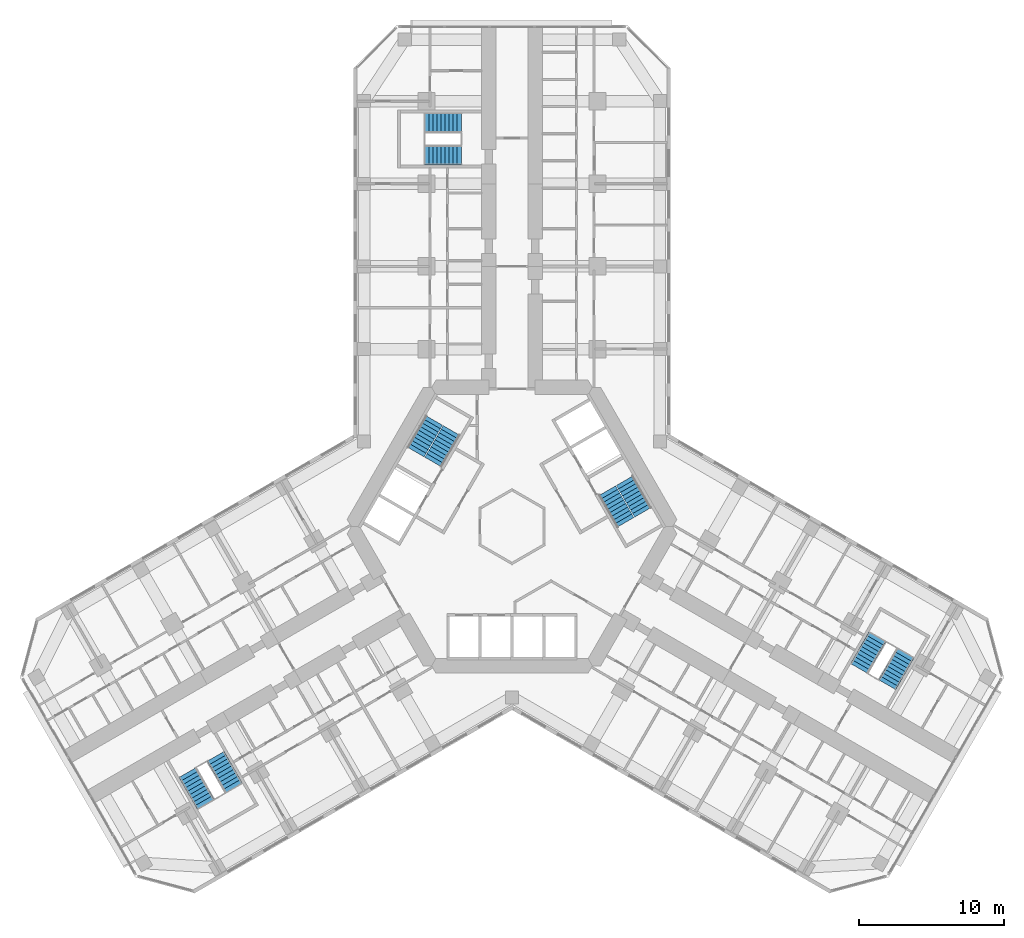
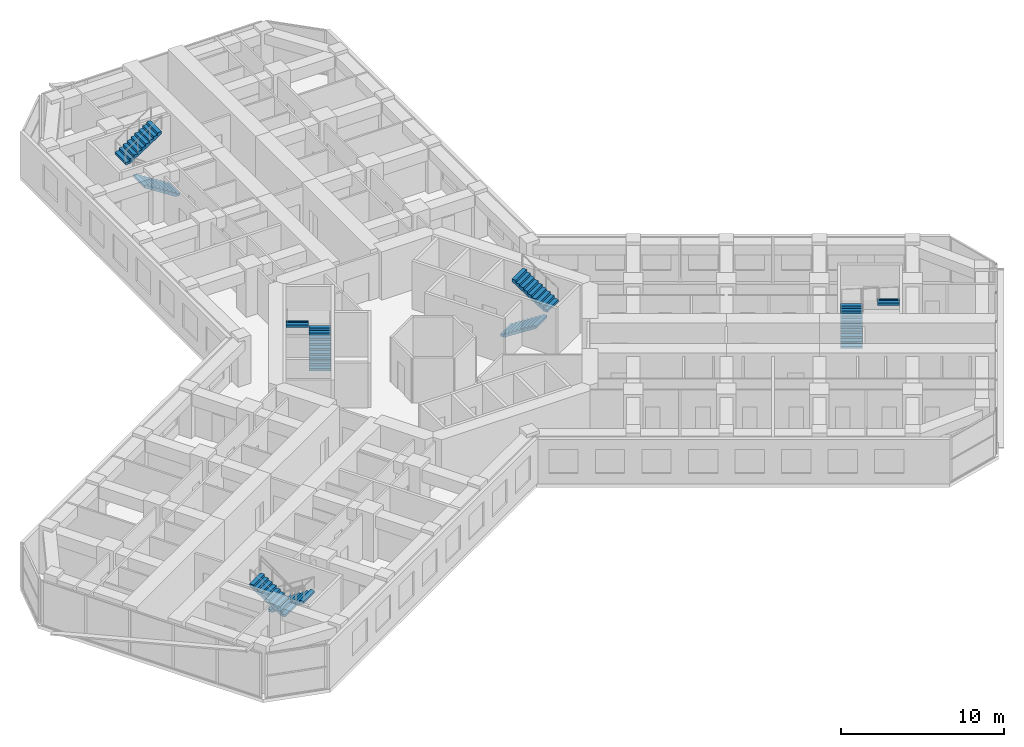
# One storey, part 20 of 21: 10 stair flights, 5 elements without a shape of their own.
"""IFC4 building model written with IfcOpenShell, lengths in metres."""

from ifc_helpers import new_model, si_unit, direction, frame, origin, place, context, subcontext, project, spatial, polyline, outline, extrude, material, type_object, element, aggregate, save


model = new_model("IFC4")

# Units and contexts
model_context = context("Model", 3, precision=1e-05, world=origin(), true_north=direction((0.0, 1.0)))
body_context = subcontext(model_context, "Body", "Model", "MODEL_VIEW")
ifc_project = project(units=[si_unit("LENGTHUNIT", "METRE"), si_unit("AREAUNIT", "SQUARE_METRE"), si_unit("VOLUMEUNIT", "CUBIC_METRE"), si_unit("PLANEANGLEUNIT", "RADIAN"), si_unit("MASSUNIT", "GRAM", prefix="KILO")], contexts=[model_context])

# Site, building, storey
site_placement = place(None, origin())
site = spatial("IfcSite", under=ifc_project, at=site_placement, CompositionType="ELEMENT")
building_placement = place(site_placement, origin())
building = spatial("IfcBuilding", under=site, at=building_placement, Name="Kosmar Iwan School Tower", CompositionType="ELEMENT")
storey_placement = place(building_placement, frame((0.0, 0.0, 98.800048828125)))
storey = spatial("IfcBuildingStorey", under=building, at=storey_placement, Name="L24", CompositionType="ELEMENT", Elevation=98.800048828125)

# Stair, stair flights
ifc_material_1 = material(Name="Concrete C35/45", Category="concrete")
stair_type_1 = type_object("IfcStairType", Name="Escape stair 3600", PredefinedType="HALF_TURN_STAIR", material=ifc_material_1)
stair_1_placement = place(storey_placement, origin())
stair_1 = element("IfcStair", 1, at=stair_1_placement, inside=storey, type_object=stair_type_1, Name="Stair WS1 L24", PredefinedType="HALF_TURN_STAIR")
ifc_material_2 = material(Name="Concrete C35/45", Category="concrete")
stair_flight_type_1 = type_object("IfcStairFlightType", Name="Escape stair flight 1350", PredefinedType="STRAIGHT", material=ifc_material_2)
stair_flight_1_placement = place(storey_placement, frame((-3.5, 25.625, 0.0), z_axis=(0.0, 0.0, 1.0), x_axis=(-1.0, 0.0, 0.0)))
stair_flight_1 = element("IfcStairFlight", 2, at=stair_flight_1_placement, type_object=stair_flight_type_1, Name="WS1 flight 1", NumberOfRisers=10, NumberOfTreads=9, PredefinedType="STRAIGHT", RiserHeight=0.18, TreadLength=0.28, context=body_context, shape_type="SweptSolid", body=[
    extrude(outline(polyline([(0.0, 0.0), (0.0, 0.179931640625), (0.280029296875, 0.179931640625), (0.280029296875, 0.360107421875), (0.56005859375, 0.360107421875), (0.56005859375, 0.5400390625), (0.840087890625, 0.5400390625), (0.840087890625, 0.719970703125), (1.1201171875, 0.719970703125), (1.1201171875, 0.89990234375), (1.39990234375, 0.89990234375), (1.39990234375, 1.080078125), (1.679931640625, 1.080078125), (1.679931640625, 1.260009765625), (1.9599609375, 1.260009765625), (1.9599609375, 1.43994140625), (2.239990234375, 1.43994140625), (2.239990234375, 1.6201171875), (2.52001953125, 1.6201171875), (2.52001953125, 1.800048828125), (2.52001953125, 1.44189453125), (0.277099609375, 0.0), (0.0, 0.0)])), frame((0.0, 0.675048828125, 0.0), z_axis=(0.0, -1.0, 0.0), x_axis=(1.0, 0.0, 0.0)), (0.0, 0.0, 1.0), 1.35009765625),
])
stair_flight_2_placement = place(storey_placement, frame((-6.02001953125, 27.875, 1.800048828125), z_axis=(0.0, 0.0, 1.0), x_axis=(1.0, 0.0, 0.0)))
stair_flight_2 = element("IfcStairFlight", 3, at=stair_flight_2_placement, type_object=stair_flight_type_1, Name="WS1 flight 2", NumberOfRisers=10, NumberOfTreads=9, PredefinedType="STRAIGHT", RiserHeight=0.18, TreadLength=0.28, context=body_context, shape_type="SweptSolid", body=[
    extrude(outline(polyline([(0.0, 0.0), (0.0, 0.179931640625), (0.280029296875, 0.179931640625), (0.280029296875, 0.360107421875), (0.56005859375, 0.360107421875), (0.56005859375, 0.5400390625), (0.840087890625, 0.5400390625), (0.840087890625, 0.719970703125), (1.1201171875, 0.719970703125), (1.1201171875, 0.89990234375), (1.39990234375, 0.89990234375), (1.39990234375, 1.080078125), (1.679931640625, 1.080078125), (1.679931640625, 1.260009765625), (1.9599609375, 1.260009765625), (1.9599609375, 1.43994140625), (2.239990234375, 1.43994140625), (2.239990234375, 1.6201171875), (2.52001953125, 1.6201171875), (2.52001953125, 1.800048828125), (2.52001953125, 1.44189453125), (0.277099609375, 0.0), (0.0, 0.0)])), frame((0.0, 0.675048828125, 0.0), z_axis=(0.0, -1.0, 0.0), x_axis=(1.0, 0.0, 0.0)), (0.0, 0.0, 1.0), 1.35009765625),
])
aggregate(stair_1, [stair_flight_1, stair_flight_2])

stair_2_placement = place(storey_placement, origin())
stair_2 = element("IfcStair", 4, at=stair_2_placement, inside=storey, type_object=stair_type_1, Name="Stair WS2 L24", PredefinedType="HALF_TURN_STAIR")
stair_flight_3_placement = place(storey_placement, frame((-20.44189453125, -15.843505859375, 0.0), z_axis=(0.0, 0.0, 1.0), x_axis=(0.5, -0.866025403784, 0.0)))
stair_flight_3 = element("IfcStairFlight", 5, at=stair_flight_3_placement, type_object=stair_flight_type_1, Name="WS2 flight 1", NumberOfRisers=10, NumberOfTreads=9, PredefinedType="STRAIGHT", RiserHeight=0.18, TreadLength=0.28, context=body_context, shape_type="SweptSolid", body=[
    extrude(outline(polyline([(0.0, 0.0), (0.0, 0.179931640625), (0.280029296875, 0.179931640625), (0.280029296875, 0.360107421875), (0.56005859375, 0.360107421875), (0.56005859375, 0.5400390625), (0.840087890625, 0.5400390625), (0.840087890625, 0.719970703125), (1.1201171875, 0.719970703125), (1.1201171875, 0.89990234375), (1.39990234375, 0.89990234375), (1.39990234375, 1.080078125), (1.679931640625, 1.080078125), (1.679931640625, 1.260009765625), (1.9599609375, 1.260009765625), (1.9599609375, 1.43994140625), (2.239990234375, 1.43994140625), (2.239990234375, 1.6201171875), (2.52001953125, 1.6201171875), (2.52001953125, 1.800048828125), (2.52001953125, 1.44189453125), (0.277099609375, 0.0), (0.0, 0.0)])), frame((0.0, 0.675048828125, 0.0), z_axis=(0.0, -1.0, 0.0), x_axis=(1.0, 0.0, 0.0)), (0.0, 0.0, 1.0), 1.35009765625),
])
stair_flight_4_placement = place(storey_placement, frame((-21.13037109375, -19.15087890625, 1.800048828125), z_axis=(0.0, 0.0, 1.0), x_axis=(-0.5, 0.866025403784, 0.0)))
stair_flight_4 = element("IfcStairFlight", 6, at=stair_flight_4_placement, type_object=stair_flight_type_1, Name="WS2 flight 2", NumberOfRisers=10, NumberOfTreads=9, PredefinedType="STRAIGHT", RiserHeight=0.18, TreadLength=0.28, context=body_context, shape_type="SweptSolid", body=[
    extrude(outline(polyline([(0.0, 0.0), (0.0, 0.179931640625), (0.280029296875, 0.179931640625), (0.280029296875, 0.360107421875), (0.56005859375, 0.360107421875), (0.56005859375, 0.5400390625), (0.840087890625, 0.5400390625), (0.840087890625, 0.719970703125), (1.1201171875, 0.719970703125), (1.1201171875, 0.89990234375), (1.39990234375, 0.89990234375), (1.39990234375, 1.080078125), (1.679931640625, 1.080078125), (1.679931640625, 1.260009765625), (1.9599609375, 1.260009765625), (1.9599609375, 1.43994140625), (2.239990234375, 1.43994140625), (2.239990234375, 1.6201171875), (2.52001953125, 1.6201171875), (2.52001953125, 1.800048828125), (2.52001953125, 1.44189453125), (0.277099609375, 0.0), (0.0, 0.0)])), frame((0.0, 0.675048828125, 0.0), z_axis=(0.0, -1.0, 0.0), x_axis=(1.0, 0.0, 0.0)), (0.0, 0.0, 1.0), 1.35009765625),
])
aggregate(stair_2, [stair_flight_3, stair_flight_4])

stair_3_placement = place(storey_placement, origin())
stair_3 = element("IfcStair", 7, at=stair_3_placement, inside=storey, type_object=stair_type_1, Name="Stair WS3 L24", PredefinedType="HALF_TURN_STAIR")
stair_flight_5_placement = place(storey_placement, frame((23.94189453125, -9.781494140625, 0.0), z_axis=(0.0, 0.0, 1.0), x_axis=(0.5, 0.866025403784, 0.0)))
stair_flight_5 = element("IfcStairFlight", 8, at=stair_flight_5_placement, type_object=stair_flight_type_1, Name="WS3 flight 1", NumberOfRisers=10, NumberOfTreads=9, PredefinedType="STRAIGHT", RiserHeight=0.18, TreadLength=0.28, context=body_context, shape_type="SweptSolid", body=[
    extrude(outline(polyline([(0.0, 0.0), (0.0, 0.179931640625), (0.280029296875, 0.179931640625), (0.280029296875, 0.360107421875), (0.56005859375, 0.360107421875), (0.56005859375, 0.5400390625), (0.840087890625, 0.5400390625), (0.840087890625, 0.719970703125), (1.1201171875, 0.719970703125), (1.1201171875, 0.89990234375), (1.39990234375, 0.89990234375), (1.39990234375, 1.080078125), (1.679931640625, 1.080078125), (1.679931640625, 1.260009765625), (1.9599609375, 1.260009765625), (1.9599609375, 1.43994140625), (2.239990234375, 1.43994140625), (2.239990234375, 1.6201171875), (2.52001953125, 1.6201171875), (2.52001953125, 1.800048828125), (2.52001953125, 1.44189453125), (0.277099609375, 0.0), (0.0, 0.0)])), frame((0.0, 0.675048828125, 0.0), z_axis=(0.0, -1.0, 0.0), x_axis=(1.0, 0.0, 0.0)), (0.0, 0.0, 1.0), 1.35009765625),
])
stair_flight_6_placement = place(storey_placement, frame((27.150390625, -8.72412109375, 1.800048828125), z_axis=(0.0, 0.0, 1.0), x_axis=(-0.5, -0.866025403784, 0.0)))
stair_flight_6 = element("IfcStairFlight", 9, at=stair_flight_6_placement, type_object=stair_flight_type_1, Name="WS3 flight 2", NumberOfRisers=10, NumberOfTreads=9, PredefinedType="STRAIGHT", RiserHeight=0.18, TreadLength=0.28, context=body_context, shape_type="SweptSolid", body=[
    extrude(outline(polyline([(0.0, 0.0), (0.0, 0.179931640625), (0.280029296875, 0.179931640625), (0.280029296875, 0.360107421875), (0.56005859375, 0.360107421875), (0.56005859375, 0.5400390625), (0.840087890625, 0.5400390625), (0.840087890625, 0.719970703125), (1.1201171875, 0.719970703125), (1.1201171875, 0.89990234375), (1.39990234375, 0.89990234375), (1.39990234375, 1.080078125), (1.679931640625, 1.080078125), (1.679931640625, 1.260009765625), (1.9599609375, 1.260009765625), (1.9599609375, 1.43994140625), (2.239990234375, 1.43994140625), (2.239990234375, 1.6201171875), (2.52001953125, 1.6201171875), (2.52001953125, 1.800048828125), (2.52001953125, 1.44189453125), (0.277099609375, 0.0), (0.0, 0.0)])), frame((0.0, 0.675048828125, 0.0), z_axis=(0.0, -1.0, 0.0), x_axis=(1.0, 0.0, 0.0)), (0.0, 0.0, 1.0), 1.35009765625),
])
aggregate(stair_3, [stair_flight_5, stair_flight_6])

ifc_material_3 = material(Name="Concrete C35/45", Category="concrete")
stair_type_2 = type_object("IfcStairType", Name="Core stair 2750", PredefinedType="HALF_TURN_STAIR", material=ifc_material_3)
stair_4_placement = place(storey_placement, origin())
stair_4 = element("IfcStair", 10, at=stair_4_placement, inside=storey, type_object=stair_type_2, Name="Stair ST2 L24", PredefinedType="HALF_TURN_STAIR")
ifc_material_4 = material(Name="Concrete C35/45", Category="concrete")
stair_flight_type_2 = type_object("IfcStairFlightType", Name="Stair flight 1350", PredefinedType="STRAIGHT", material=ifc_material_4)
stair_flight_7_placement = place(storey_placement, frame((-5.42724609375, 4.44970703125, 0.0), z_axis=(0.0, 0.0, 1.0), x_axis=(0.5, 0.866025403784, 0.0)))
stair_flight_7 = element("IfcStairFlight", 11, at=stair_flight_7_placement, type_object=stair_flight_type_2, Name="ST2 flight 1", NumberOfRisers=10, NumberOfTreads=9, PredefinedType="STRAIGHT", RiserHeight=0.18, TreadLength=0.28, context=body_context, shape_type="SweptSolid", body=[
    extrude(outline(polyline([(0.0, 0.0), (0.0, 0.179931640625), (0.280029296875, 0.179931640625), (0.280029296875, 0.360107421875), (0.56005859375, 0.360107421875), (0.56005859375, 0.5400390625), (0.840087890625, 0.5400390625), (0.840087890625, 0.719970703125), (1.1201171875, 0.719970703125), (1.1201171875, 0.89990234375), (1.39990234375, 0.89990234375), (1.39990234375, 1.080078125), (1.679931640625, 1.080078125), (1.679931640625, 1.260009765625), (1.9599609375, 1.260009765625), (1.9599609375, 1.43994140625), (2.239990234375, 1.43994140625), (2.239990234375, 1.6201171875), (2.52001953125, 1.6201171875), (2.52001953125, 1.800048828125), (2.52001953125, 1.44189453125), (0.277099609375, 0.0), (0.0, 0.0)])), frame((0.0, 0.675048828125, 0.0), z_axis=(0.0, -1.0, 0.0), x_axis=(1.0, 0.0, 0.0)), (0.0, 0.0, 1.0), 1.35009765625),
])
stair_flight_8_placement = place(storey_placement, frame((-5.379638671875, 7.33203125, 1.800048828125), z_axis=(0.0, 0.0, 1.0), x_axis=(-0.5, -0.866025403784, 0.0)))
stair_flight_8 = element("IfcStairFlight", 12, at=stair_flight_8_placement, type_object=stair_flight_type_2, Name="ST2 flight 2", NumberOfRisers=10, NumberOfTreads=9, PredefinedType="STRAIGHT", RiserHeight=0.18, TreadLength=0.28, context=body_context, shape_type="SweptSolid", body=[
    extrude(outline(polyline([(0.0, 0.0), (0.0, 0.179931640625), (0.280029296875, 0.179931640625), (0.280029296875, 0.360107421875), (0.56005859375, 0.360107421875), (0.56005859375, 0.5400390625), (0.840087890625, 0.5400390625), (0.840087890625, 0.719970703125), (1.1201171875, 0.719970703125), (1.1201171875, 0.89990234375), (1.39990234375, 0.89990234375), (1.39990234375, 1.080078125), (1.679931640625, 1.080078125), (1.679931640625, 1.260009765625), (1.9599609375, 1.260009765625), (1.9599609375, 1.43994140625), (2.239990234375, 1.43994140625), (2.239990234375, 1.6201171875), (2.52001953125, 1.6201171875), (2.52001953125, 1.800048828125), (2.52001953125, 1.44189453125), (0.277099609375, 0.0), (0.0, 0.0)])), frame((0.0, 0.675048828125, 0.0), z_axis=(0.0, -1.0, 0.0), x_axis=(1.0, 0.0, 0.0)), (0.0, 0.0, 1.0), 1.35009765625),
])
aggregate(stair_4, [stair_flight_7, stair_flight_8])

stair_5_placement = place(storey_placement, origin())
stair_5 = element("IfcStair", 13, at=stair_5_placement, inside=storey, type_object=stair_type_2, Name="Stair ST1 L24", PredefinedType="HALF_TURN_STAIR")
stair_flight_9_placement = place(storey_placement, frame((6.567138671875, 2.475341796875, 0.0), z_axis=(0.0, 0.0, 1.0), x_axis=(0.5, -0.866025403784, 0.0)))
stair_flight_9 = element("IfcStairFlight", 14, at=stair_flight_9_placement, type_object=stair_flight_type_2, Name="ST1 flight 1", NumberOfRisers=10, NumberOfTreads=9, PredefinedType="STRAIGHT", RiserHeight=0.18, TreadLength=0.28, context=body_context, shape_type="SweptSolid", body=[
    extrude(outline(polyline([(0.0, 0.0), (0.0, 0.179931640625), (0.280029296875, 0.179931640625), (0.280029296875, 0.360107421875), (0.56005859375, 0.360107421875), (0.56005859375, 0.5400390625), (0.840087890625, 0.5400390625), (0.840087890625, 0.719970703125), (1.1201171875, 0.719970703125), (1.1201171875, 0.89990234375), (1.39990234375, 0.89990234375), (1.39990234375, 1.080078125), (1.679931640625, 1.080078125), (1.679931640625, 1.260009765625), (1.9599609375, 1.260009765625), (1.9599609375, 1.43994140625), (2.239990234375, 1.43994140625), (2.239990234375, 1.6201171875), (2.52001953125, 1.6201171875), (2.52001953125, 1.800048828125), (2.52001953125, 1.44189453125), (0.277099609375, 0.0), (0.0, 0.0)])), frame((0.0, 0.675048828125, 0.0), z_axis=(0.0, -1.0, 0.0), x_axis=(1.0, 0.0, 0.0)), (0.0, 0.0, 1.0), 1.35009765625),
])
stair_flight_10_placement = place(storey_placement, frame((9.03955078125, 0.992919921875, 1.800048828125), z_axis=(0.0, 0.0, 1.0), x_axis=(-0.5, 0.866025403784, 0.0)))
stair_flight_10 = element("IfcStairFlight", 15, at=stair_flight_10_placement, type_object=stair_flight_type_2, Name="ST1 flight 2", NumberOfRisers=10, NumberOfTreads=9, PredefinedType="STRAIGHT", RiserHeight=0.18, TreadLength=0.28, context=body_context, shape_type="SweptSolid", body=[
    extrude(outline(polyline([(0.0, 0.0), (0.0, 0.179931640625), (0.280029296875, 0.179931640625), (0.280029296875, 0.360107421875), (0.56005859375, 0.360107421875), (0.56005859375, 0.5400390625), (0.840087890625, 0.5400390625), (0.840087890625, 0.719970703125), (1.1201171875, 0.719970703125), (1.1201171875, 0.89990234375), (1.39990234375, 0.89990234375), (1.39990234375, 1.080078125), (1.679931640625, 1.080078125), (1.679931640625, 1.260009765625), (1.9599609375, 1.260009765625), (1.9599609375, 1.43994140625), (2.239990234375, 1.43994140625), (2.239990234375, 1.6201171875), (2.52001953125, 1.6201171875), (2.52001953125, 1.800048828125), (2.52001953125, 1.44189453125), (0.277099609375, 0.0), (0.0, 0.0)])), frame((0.0, 0.675048828125, 0.0), z_axis=(0.0, -1.0, 0.0), x_axis=(1.0, 0.0, 0.0)), (0.0, 0.0, 1.0), 1.35009765625),
])
aggregate(stair_5, [stair_flight_9, stair_flight_10])

save(model, "model.ifc")
